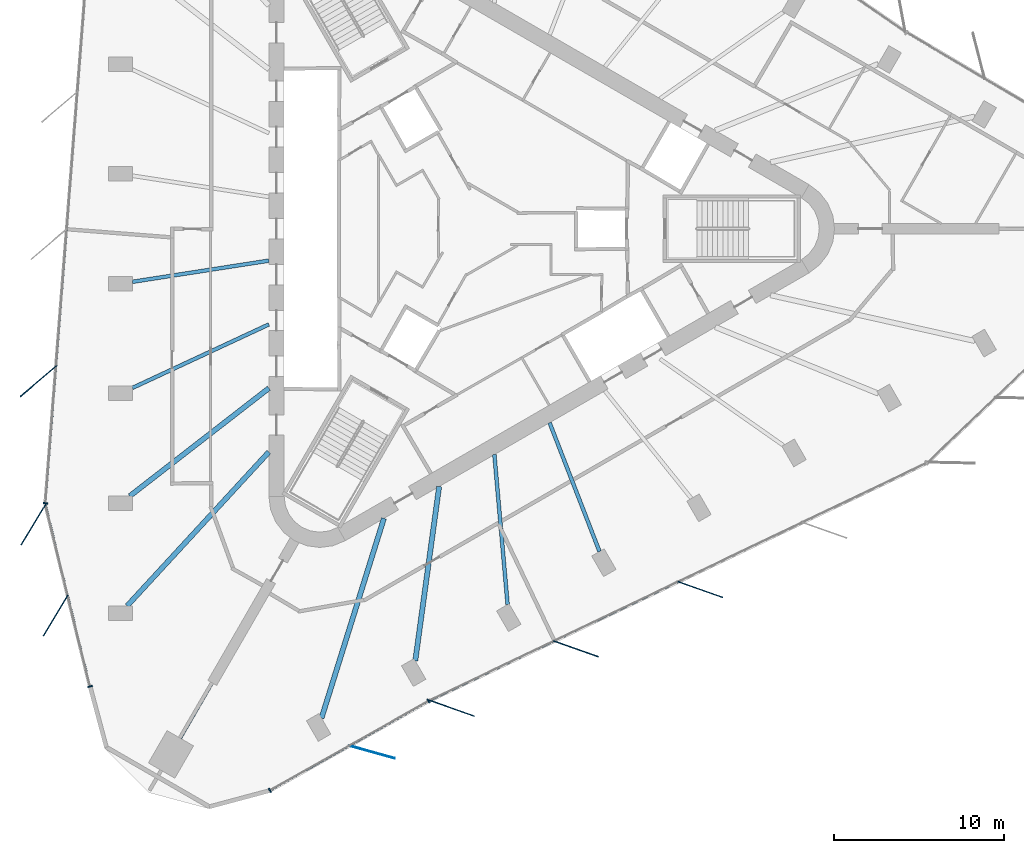
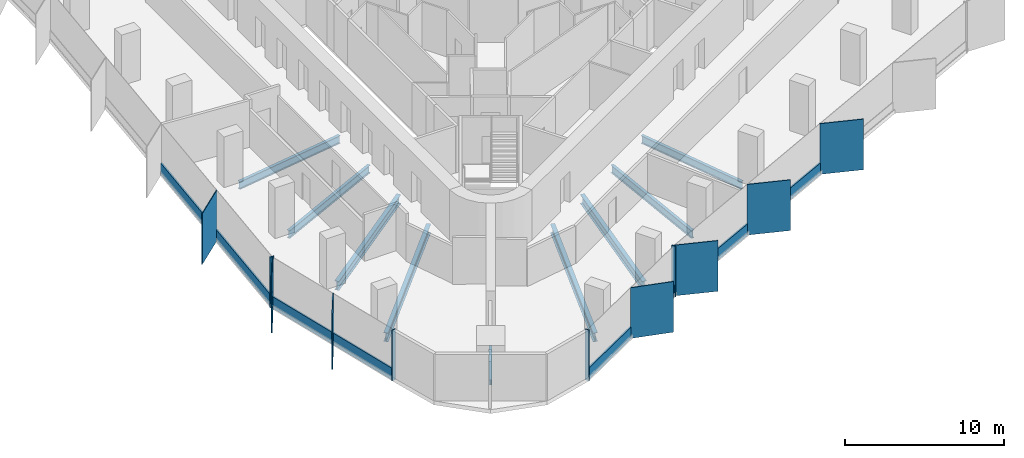
# One storey, part 2 of 14: 19 members, 9 beams, 4 elements without a shape of their own.
"""IFC4 building model written with IfcOpenShell, lengths in metres."""

import ifcopenshell
import ifcopenshell.guid

model = None  # the IFC model being written
_history = None  # IfcOwnerHistory: only IFC2X3 demands one
_inside = {}  # id of a spatial element -> (the spatial element, [elements in it])
_under = {}  # id of a project, library or spatial element -> (it, [spatial elements below it])
_declared = {}  # id of a project -> (the project, [libraries it declares])
_typed = {}  # id of a type object -> (the type object, [elements of that type])
_made_of = {}  # id of a material, layer set ... -> (it, [elements and type objects made of it])


def new_model(schema):
    """Start an empty IFC model of exactly this schema.

    Asked for "IFC4X3", IfcOpenShell would pick the latest addendum, in which some entities
    have other attributes; the version numbers below select the first issue.
    IFC2X3 requires an IfcOwnerHistory on every rooted entity: one is made here for all.
    """
    global model, _history
    if schema == "IFC4X3":
        model = ifcopenshell.file(schema_version=(4, 3, 0, 0))
    else:
        model = ifcopenshell.file(schema=schema)
    _inside.clear()
    _under.clear()
    _declared.clear()
    _typed.clear()
    _made_of.clear()
    _history = None
    if model.schema == "IFC2X3":
        org = make("IfcOrganization", Name="unknown")
        user = make(
            "IfcPersonAndOrganization",
            ThePerson=make("IfcPerson", FamilyName="unknown"),
            TheOrganization=org,
        )
        app = make(
            "IfcApplication",
            ApplicationDeveloper=org,
            Version="unknown",
            ApplicationFullName="unknown",
            ApplicationIdentifier="unknown",
        )
        _history = make(
            "IfcOwnerHistory",
            OwningUser=user,
            OwningApplication=app,
            ChangeAction="ADDED",
            CreationDate=0,
        )
    return model


def make(cls, **values):
    """One entity of the class cls with the attributes given. An attribute that is None is left unset."""
    return model.create_entity(
        cls, **{name: value for name, value in values.items() if value is not None}
    )


def rooted(cls, **values):
    """An entity with a GlobalId (a new one), such as an element, a storey or a relation."""
    return make(cls, GlobalId=ifcopenshell.guid.new(), OwnerHistory=_history, **values)


def si_unit(unit_type, name, prefix=None):
    """IfcSIUnit, for example si_unit("LENGTHUNIT", "METRE", prefix="MILLI")."""
    return make("IfcSIUnit", UnitType=unit_type, Prefix=prefix, Name=name)


def assignment(units):
    """IfcUnitAssignment: the units of a project."""
    return None if units is None else make("IfcUnitAssignment", Units=units)


def point(xyz):
    """IfcCartesianPoint."""
    return None if xyz is None else make("IfcCartesianPoint", Coordinates=xyz)


def direction(xyz):
    """IfcDirection."""
    return None if xyz is None else make("IfcDirection", DirectionRatios=xyz)


def frame(location, z_axis=None, x_axis=None):
    """IfcAxis2Placement3D, a coordinate frame: its origin and axes. An axis left out is left unset."""
    return make(
        "IfcAxis2Placement3D",
        Location=point(location),
        Axis=direction(z_axis),
        RefDirection=direction(x_axis),
    )


def frame_2d(location, x_axis=None):
    """IfcAxis2Placement2D, a coordinate frame in the plane: its origin and x axis."""
    return make(
        "IfcAxis2Placement2D", Location=point(location), RefDirection=direction(x_axis)
    )


def origin():
    """The frame at (0, 0, 0) with its axes left unset."""
    return frame((0.0, 0.0, 0.0))


def origin_2d():
    """The frame at (0, 0) in the plane with its x axis left unset."""
    return frame_2d((0.0, 0.0))


def place(relative_to, where):
    """IfcLocalPlacement: puts the frame where relative to a parent placement (None: the world)."""
    return make(
        "IfcLocalPlacement", PlacementRelTo=relative_to, RelativePlacement=where
    )


def context(
    kind, dimensions, precision=None, world=None, true_north=None, identifier=None
):
    """IfcGeometricRepresentationContext, for example the 3D "Model" context."""
    return make(
        "IfcGeometricRepresentationContext",
        ContextIdentifier=identifier,
        ContextType=kind,
        CoordinateSpaceDimension=dimensions,
        Precision=precision,
        WorldCoordinateSystem=world,
        TrueNorth=true_north,
    )


def subcontext(parent, identifier, kind, view, scale=None):
    """IfcGeometricRepresentationSubContext, for example "Body" below "Model"."""
    return make(
        "IfcGeometricRepresentationSubContext",
        ContextIdentifier=identifier,
        ContextType=kind,
        ParentContext=parent,
        TargetScale=scale,
        TargetView=view,
    )


def project(units=None, contexts=None):
    """IfcProject with its units and contexts."""
    return rooted(
        "IfcProject",
        Name="project",
        RepresentationContexts=contexts,
        UnitsInContext=assignment(units),
    )


def spatial(cls, under=None, at=None, **own):
    """A site, building, storey or space (cls), placed at a placement, below another one or the project."""
    s = rooted(cls, ObjectPlacement=at, **own)
    if under is not None:
        _under.setdefault(under.id(), (under, []))[1].append(s)
    return s


def profile(cls, at=None, kind="AREA", **sizes):
    """A parametric profile (cls). Its sizes go by their IFC names, for example OverallWidth=200.0."""
    return make(cls, ProfileType=kind, Position=at, **sizes)


def rectangle(**sizes):
    """IfcRectangleProfileDef."""
    return profile("IfcRectangleProfileDef", **sizes)


def i_section(**sizes):
    """IfcIShapeProfileDef."""
    return profile("IfcIShapeProfileDef", **sizes)


def extrude(swept, where, along, depth):
    """IfcExtrudedAreaSolid: the profile swept, set in the frame where, extruded along a direction by depth."""
    return make(
        "IfcExtrudedAreaSolid",
        SweptArea=swept,
        Position=where,
        ExtrudedDirection=direction(along),
        Depth=depth,
    )


def shape(context_of_items, identifier, shape_type, items):
    """IfcShapeRepresentation: the items that make up one representation, for example the "Body"."""
    return make(
        "IfcShapeRepresentation",
        ContextOfItems=context_of_items,
        RepresentationIdentifier=identifier,
        RepresentationType=shape_type,
        Items=items,
    )


def material(Name=None, Category=None):
    """IfcMaterial."""
    return make("IfcMaterial", Name=Name, Category=Category)


def material_profile(
    of_material, cross_section, Name=None, Category=None, Priority=None
):
    """IfcMaterialProfile: a cross section and its material."""
    return make(
        "IfcMaterialProfile",
        Name=Name,
        Material=of_material,
        Profile=cross_section,
        Priority=Priority,
        Category=Category,
    )


def profile_set(profiles, Name=None, composite=None):
    """IfcMaterialProfileSet."""
    return make(
        "IfcMaterialProfileSet",
        Name=Name,
        MaterialProfiles=profiles,
        CompositeProfile=composite,
    )


def made_of(thing, what):
    """Note that an element or type object is made of a material, layer set ...; save() writes the relation."""
    if what is not None:
        _made_of.setdefault(what.id(), (what, []))[1].append(thing)
    return thing


def type_object(cls, material=None, **own):
    """A type object (cls), such as IfcWallType, which elements share."""
    return made_of(rooted(cls, **own), material)


def element(
    cls,
    number,
    at=None,
    inside=None,
    cuts=None,
    type_object=None,
    material=None,
    context=None,
    identifier="Body",
    shape_type=None,
    held_by="IfcProductDefinitionShape",
    body=None,
    shapes=None,
    **own,
):
    """One element of the class cls, such as IfcWall. Its Tag is "e" and its number.

    at: its placement. inside: the storey or other place that contains it. cuts: it is an
    opening in that element (IfcRelVoidsElement). A single representation is given by context,
    identifier, shape_type and body (its items); several are given by shapes. held_by: the class
    of the entity that holds the representations. save() writes the other relations.
    """
    e = rooted(cls, Tag="e%d" % number, ObjectPlacement=at, **own)
    if body is not None:
        shapes = [shape(context, identifier, shape_type, body)]
    if shapes is not None:
        e.Representation = make(held_by, Representations=shapes)
    if inside is not None:
        _inside.setdefault(inside.id(), (inside, []))[1].append(e)
    if cuts is not None:
        rooted(
            "IfcRelVoidsElement", RelatingBuildingElement=cuts, RelatedOpeningElement=e
        )
    if type_object is not None:
        _typed.setdefault(type_object.id(), (type_object, []))[1].append(e)
    return made_of(e, material)


def aggregate(whole, parts):
    """IfcRelAggregates: a whole, such as a stair, and the parts it consists of."""
    return rooted("IfcRelAggregates", RelatingObject=whole, RelatedObjects=parts)


def save(model, path):
    """Write the relations noted so far, then the file.

    IfcRelAggregates (storeys below a building ...), IfcRelContainedInSpatialStructure (elements
    in a storey), IfcRelDefinesByType, IfcRelAssociatesMaterial and IfcRelDeclares: one each for
    every whole, place, type object, material and project.
    """
    for whole, parts in _under.values():
        aggregate(whole, parts)
    for where, things in _inside.values():
        rooted(
            "IfcRelContainedInSpatialStructure",
            RelatedElements=things,
            RelatingStructure=where,
        )
    for kind, things in _typed.values():
        rooted("IfcRelDefinesByType", RelatedObjects=things, RelatingType=kind)
    for what, things in _made_of.values():
        rooted("IfcRelAssociatesMaterial", RelatedObjects=things, RelatingMaterial=what)
    for by, libraries in _declared.values():
        rooted("IfcRelDeclares", RelatingContext=by, RelatedDefinitions=libraries)
    model.write(path)


model = new_model("IFC4")

# Units and contexts
model_context = context("Model", 3, precision=1e-05, world=origin(), true_north=direction((0.0, 1.0)))
body_context = subcontext(model_context, "Body", "Model", "MODEL_VIEW")
ifc_project = project(units=[si_unit("LENGTHUNIT", "METRE"), si_unit("AREAUNIT", "SQUARE_METRE"), si_unit("VOLUMEUNIT", "CUBIC_METRE"), si_unit("PLANEANGLEUNIT", "RADIAN"), si_unit("MASSUNIT", "GRAM", prefix="KILO")], contexts=[model_context])

# Site, building, storey
site_placement = place(None, origin())
site = spatial("IfcSite", under=ifc_project, at=site_placement, CompositionType="ELEMENT")
building_placement = place(site_placement, origin())
building = spatial("IfcBuilding", under=site, at=building_placement, Name="Tanit Gate Tower", CompositionType="ELEMENT")
storey_placement = place(building_placement, frame((0.0, 0.0, 302.60009765625)))
storey = spatial("IfcBuildingStorey", under=building, at=storey_placement, Name="L67", CompositionType="ELEMENT", Elevation=302.60009765625)

# Curtain wall, member
ifc_material_1 = material(Name="Aluminium bronze anodised and glass", Category="aluminium")
curtain_wall_type = type_object("IfcCurtainWallType", Name="Curtain wall typical high", PredefinedType="NOTDEFINED", material=ifc_material_1)
curtain_wall_1_placement = place(storey_placement, origin())
curtain_wall_1 = element("IfcCurtainWall", 1, at=curtain_wall_1_placement, inside=storey, type_object=curtain_wall_type, Name="Curtain wall L67 W2", PredefinedType="NOTDEFINED")
ifc_material_2 = material(Name="Aluminium bronze anodised", Category="aluminium")
ifc_material_profile_1 = material_profile(ifc_material_2, rectangle(XDim=2.800048828125, YDim=0.055908203125, at=origin_2d()), Name="56x2800 bronze fin mullion")
ifc_profile_set_1 = profile_set([ifc_material_profile_1], Name="Aluminium bronze anodised")
member_type_1 = type_object("IfcMemberType", Name="FIN MULLION 56x2800 bronze", PredefinedType="MULLION", material=ifc_profile_set_1)
member_1_placement = place(storey_placement, frame((-25.669677734375, -8.974609375, -0.300048828125), z_axis=(0.0, 0.0, 1.0), x_axis=(0.760001580735, 0.649921223903, 0.0)))
member_1 = element("IfcMember", 2, at=member_1_placement, type_object=member_type_1, Name="Fin mullion L67 W2.4", PredefinedType="MULLION", context=body_context, shape_type="SweptSolid", body=[
    extrude(rectangle(XDim=2.800048828125, YDim=0.055908203125, at=origin_2d()), origin(), (0.0, 0.0, 1.0), 3.89990234375),
])

# Curtain wall, members
curtain_wall_2_placement = place(storey_placement, origin())
curtain_wall_2 = element("IfcCurtainWall", 3, at=curtain_wall_2_placement, inside=storey, type_object=curtain_wall_type, Name="Curtain wall L67 W3", PredefinedType="NOTDEFINED")
member_2_placement = place(storey_placement, frame((-25.961669921875, -17.415771484375, -0.300048828125), z_axis=(0.0, 0.0, 1.0), x_axis=(0.519036205299, 0.854752255094, 0.0)))
member_2 = element("IfcMember", 4, at=member_2_placement, type_object=member_type_1, Name="Fin mullion L67 W3.1", PredefinedType="MULLION", context=body_context, shape_type="SweptSolid", body=[
    extrude(rectangle(XDim=2.800048828125, YDim=0.055908203125, at=origin_2d()), origin(), (0.0, 0.0, 1.0), 3.89990234375),
])
member_3_placement = place(storey_placement, frame((-24.6533203125, -22.769287109375, -0.300048828125), z_axis=(0.0, 0.0, 1.0), x_axis=(0.519036205299, 0.854752255094, 0.0)))
member_3 = element("IfcMember", 5, at=member_3_placement, type_object=member_type_1, Name="Fin mullion L67 W3.2", PredefinedType="MULLION", context=body_context, shape_type="SweptSolid", body=[
    extrude(rectangle(XDim=2.800048828125, YDim=0.055908203125, at=origin_2d()), origin(), (0.0, 0.0, 1.0), 3.89990234375),
])

# Curtain wall, member
curtain_wall_3_placement = place(storey_placement, origin())
curtain_wall_3 = element("IfcCurtainWall", 6, at=curtain_wall_3_placement, inside=storey, type_object=curtain_wall_type, Name="Curtain wall L67 SE1", PredefinedType="NOTDEFINED")
member_4_placement = place(storey_placement, frame((-6.040283203125, -30.80322265625, -0.300048828125), z_axis=(0.0, 0.0, 1.0), x_axis=(-0.963250243601, 0.268605599724, 0.0)))
member_4 = element("IfcMember", 7, at=member_4_placement, type_object=member_type_1, Name="Fin mullion L67 SE1.2", PredefinedType="MULLION", context=body_context, shape_type="SweptSolid", body=[
    extrude(rectangle(XDim=2.800048828125, YDim=0.055908203125, at=origin_2d()), origin(), (0.0, 0.0, 1.0), 3.89990234375),
])

# Curtain wall, members
curtain_wall_4_placement = place(storey_placement, origin())
curtain_wall_4 = element("IfcCurtainWall", 8, at=curtain_wall_4_placement, inside=storey, type_object=curtain_wall_type, Name="Curtain wall L67 SE2", PredefinedType="NOTDEFINED")
member_5_placement = place(storey_placement, frame((-1.3310546875, -28.22412109375, -0.300048828125), z_axis=(0.0, 0.0, 1.0), x_axis=(-0.942849080727, 0.333220063881, 0.0)))
member_5 = element("IfcMember", 9, at=member_5_placement, type_object=member_type_1, Name="Fin mullion L67 SE2.1", PredefinedType="MULLION", context=body_context, shape_type="SweptSolid", body=[
    extrude(rectangle(XDim=2.800048828125, YDim=0.055908203125, at=origin_2d()), origin(), (0.0, 0.0, 1.0), 3.89990234375),
])
member_6_placement = place(storey_placement, frame((5.981689453125, -24.73046875, -0.300048828125), z_axis=(0.0, 0.0, 1.0), x_axis=(-0.942849080727, 0.333220063881, 0.0)))
member_6 = element("IfcMember", 10, at=member_6_placement, type_object=member_type_1, Name="Fin mullion L67 SE2.2", PredefinedType="MULLION", context=body_context, shape_type="SweptSolid", body=[
    extrude(rectangle(XDim=2.800048828125, YDim=0.055908203125, at=origin_2d()), origin(), (0.0, 0.0, 1.0), 3.89990234375),
])
member_7_placement = place(storey_placement, frame((13.29443359375, -21.237060546875, -0.300048828125), z_axis=(0.0, 0.0, 1.0), x_axis=(-0.942849080727, 0.333220063881, 0.0)))
member_7 = element("IfcMember", 11, at=member_7_placement, type_object=member_type_1, Name="Fin mullion L67 SE2.3", PredefinedType="MULLION", context=body_context, shape_type="SweptSolid", body=[
    extrude(rectangle(XDim=2.800048828125, YDim=0.055908203125, at=origin_2d()), origin(), (0.0, 0.0, 1.0), 3.89990234375),
])

# Member
ifc_material_3 = material(Name="Aluminium bronze anodised", Category="aluminium")
ifc_material_profile_2 = material_profile(ifc_material_3, rectangle(XDim=0.280029296875, YDim=0.080078125, at=origin_2d()), Name="80x280 bronze mullion")
ifc_profile_set_2 = profile_set([ifc_material_profile_2], Name="Aluminium bronze anodised")
member_type_2 = type_object("IfcMemberType", Name="Mullion 80x280 typical high", PredefinedType="MULLION", material=ifc_profile_set_2)
member_8_placement = place(storey_placement, frame((-25.251708984375, -16.157470703125, -0.300048828125), z_axis=(0.0, 0.0, 1.0), x_axis=(0.996965976109, -0.077838566791, 0.0)))
member_8 = element("IfcMember", 12, at=member_8_placement, type_object=member_type_2, Name="Mullion L67 W2.5", PredefinedType="MULLION", context=body_context, shape_type="SweptSolid", body=[
    extrude(rectangle(XDim=0.280029296875, YDim=0.080078125, at=origin_2d()), origin(), (0.0, 0.0, 1.0), 3.89990234375),
])

member_9_placement = place(storey_placement, frame((-22.628662109375, -26.943115234375, -0.300048828125), z_axis=(0.0, 0.0, 1.0), x_axis=(0.97141513626, 0.237387095363, 0.0)))
member_9 = element("IfcMember", 13, at=member_9_placement, type_object=member_type_2, Name="Mullion L67 W3.3", PredefinedType="MULLION", context=body_context, shape_type="SweptSolid", body=[
    extrude(rectangle(XDim=0.280029296875, YDim=0.080078125, at=origin_2d()), origin(), (0.0, 0.0, 1.0), 3.89990234375),
])

member_10_placement = place(storey_placement, frame((-12.0361328125, -33.063720703125, -0.300048828125), z_axis=(0.0, 0.0, 1.0), x_axis=(-0.4911879382, 0.871053620259, 0.0)))
member_10 = element("IfcMember", 14, at=member_10_placement, type_object=member_type_2, Name="Mullion L67 SE1.1", PredefinedType="MULLION", context=body_context, shape_type="SweptSolid", body=[
    extrude(rectangle(XDim=0.280029296875, YDim=0.080078125, at=origin_2d()), origin(), (0.0, 0.0, 1.0), 3.89990234375),
])

member_11_placement = place(storey_placement, frame((-2.703369140625, -27.801025390625, -0.300048828125), z_axis=(0.0, 0.0, 1.0), x_axis=(-0.4911879382, 0.871053620259, 0.0)))
member_11 = element("IfcMember", 15, at=member_11_placement, type_object=member_type_2, Name="Mullion L67 SE1.3", PredefinedType="MULLION", context=body_context, shape_type="SweptSolid", body=[
    extrude(rectangle(XDim=0.280029296875, YDim=0.080078125, at=origin_2d()), origin(), (0.0, 0.0, 1.0), 3.89990234375),
])

# Beams
ifc_material_4 = material(Name="Steel S355", Category="steel")
ifc_material_profile_3 = material_profile(ifc_material_4, i_section(OverallWidth=0.300048828125, OverallDepth=0.68994140625, WebThickness=0.014404296875, FlangeThickness=0.027099609375, FilletRadius=0.027099609375, at=origin_2d()), Name="HEA 700")
ifc_profile_set_3 = profile_set([ifc_material_profile_3], Name="Steel S355")
beam_type_1 = type_object("IfcBeamType", Name="RADIAL GIRDER HEA 700 S355", PredefinedType="BEAM", material=ifc_profile_set_3)
beam_1_placement = place(storey_placement, frame((-20.28759765625, -15.734619140625, -0.64501953125), z_axis=(0.790189054489, 0.612863164308, 0.0), x_axis=(-0.612863164308, 0.790189054489, 0.0)))
element("IfcBeam", 16, at=beam_1_placement, inside=storey, type_object=beam_type_1, Name="RADIAL GIRDER", PredefinedType="BEAM", context=body_context, shape_type="SweptSolid", body=[
    extrude(i_section(OverallWidth=0.300048828125, OverallDepth=0.68994140625, WebThickness=0.014404296875, FlangeThickness=0.027099609375, FilletRadius=0.027099609375, at=origin_2d()), origin(), (0.0, 0.0, 1.0), 10.35888671875),
])
beam_2_placement = place(storey_placement, frame((-20.444091796875, -22.198486328125, -0.64501953125), z_axis=(0.677443856772, 0.735574483599, 0.0), x_axis=(-0.735574483599, 0.677443856772, 0.0)))
element("IfcBeam", 17, at=beam_2_placement, inside=storey, type_object=beam_type_1, Name="RADIAL GIRDER", PredefinedType="BEAM", context=body_context, shape_type="SweptSolid", body=[
    extrude(i_section(OverallWidth=0.300048828125, OverallDepth=0.68994140625, WebThickness=0.014404296875, FlangeThickness=0.027099609375, FilletRadius=0.027099609375, at=origin_2d()), origin(), (0.0, 0.0, 1.0), 12.31396484375),
])
beam_3_placement = place(storey_placement, frame((-9.00244140625, -28.804443359375, -0.64501953125), z_axis=(0.298298699316, 0.954472569531, 0.0), x_axis=(-0.954472569531, 0.298298699316, 0.0)))
element("IfcBeam", 18, at=beam_3_placement, inside=storey, type_object=beam_type_1, Name="RADIAL GIRDER", PredefinedType="BEAM", context=body_context, shape_type="SweptSolid", body=[
    extrude(i_section(OverallWidth=0.300048828125, OverallDepth=0.68994140625, WebThickness=0.014404296875, FlangeThickness=0.027099609375, FilletRadius=0.027099609375, at=origin_2d()), origin(), (0.0, 0.0, 1.0), 12.314208984375),
])
beam_4_placement = place(storey_placement, frame((-3.48291015625, -25.436767578125, -0.64501953125), z_axis=(0.135657975489, 0.990755728566, 0.0), x_axis=(-0.990755728566, 0.135657975489, 0.0)))
element("IfcBeam", 19, at=beam_4_placement, inside=storey, type_object=beam_type_1, Name="RADIAL GIRDER", PredefinedType="BEAM", context=body_context, shape_type="SweptSolid", body=[
    extrude(i_section(OverallWidth=0.300048828125, OverallDepth=0.68994140625, WebThickness=0.014404296875, FlangeThickness=0.027099609375, FilletRadius=0.027099609375, at=origin_2d()), origin(), (0.0, 0.0, 1.0), 10.35888671875),
])
ifc_material_5 = material(Name="Steel S355", Category="steel")
ifc_material_profile_4 = material_profile(ifc_material_5, i_section(OverallWidth=0.179931640625, OverallDepth=0.39990234375, WebThickness=0.008544921875, FlangeThickness=0.013427734375, FilletRadius=0.02099609375, at=origin_2d()), Name="IPE 400")
ifc_profile_set_4 = profile_set([ifc_material_profile_4], Name="Steel S355")
beam_type_2 = type_object("IfcBeamType", Name="RADIAL GIRDER IPE 400 S355", PredefinedType="BEAM", material=ifc_profile_set_4)
beam_5_placement = place(storey_placement, frame((-17.3154296875, -29.9912109375, -0.5), z_axis=(0.500007177232, 0.866021259968, 0.0), x_axis=(-0.866021259968, 0.500007177232, 0.0)))
element("IfcBeam", 20, at=beam_5_placement, inside=storey, type_object=beam_type_2, Name="RADIAL GIRDER", PredefinedType="BEAM", context=body_context, shape_type="SweptSolid", body=[
    extrude(i_section(OverallWidth=0.179931640625, OverallDepth=0.39990234375, WebThickness=0.008544921875, FlangeThickness=0.013427734375, FilletRadius=0.02099609375, at=origin_2d()), origin(), (0.0, 0.0, 1.0), 3.7607421875),
])
ifc_material_6 = material(Name="Steel S355", Category="steel")
ifc_material_profile_5 = material_profile(ifc_material_6, i_section(OverallWidth=0.219970703125, OverallDepth=0.60009765625, WebThickness=0.011962890625, FlangeThickness=0.01904296875, FilletRadius=0.02392578125, at=origin_2d()), Name="IPE 600")
ifc_profile_set_5 = profile_set([ifc_material_profile_5], Name="Steel S355")
beam_type_3 = type_object("IfcBeamType", Name="RADIAL GIRDER IPE 600 S355", PredefinedType="BEAM", material=ifc_profile_set_5)
beam_6_placement = place(storey_placement, frame((-20.135498046875, -3.123291015625, -0.60009765625), z_axis=(0.988182767287, 0.153280195844, 0.0), x_axis=(-0.153280195844, 0.988182767287, 0.0)))
element("IfcBeam", 21, at=beam_6_placement, inside=storey, type_object=beam_type_3, Name="RADIAL GIRDER", PredefinedType="BEAM", context=body_context, shape_type="SweptSolid", body=[
    extrude(i_section(OverallWidth=0.219970703125, OverallDepth=0.60009765625, WebThickness=0.011962890625, FlangeThickness=0.01904296875, FilletRadius=0.02392578125, at=origin_2d()), origin(), (0.0, 0.0, 1.0), 8.12939453125),
])
for number, where, z_axis, x_axis, name in (
    (22, (-20.135498046875, -9.3701171875, -0.60009765625), (0.906633128224, 0.421919863015, 0.0), (-0.421919863015, 0.906633128224, 0.0), "RADIAL GIRDER"),
    (23, (1.952880859375, -22.122802734375, -0.60009765625), (-0.087921954634, 0.996127366301, 0.0), (-0.996127366301, -0.087921954634, 0.0), "RADIAL GIRDER"),
):
    element("IfcBeam", number, at=place(storey_placement, frame(where, z_axis=z_axis, x_axis=x_axis)), inside=storey, type_object=beam_type_3, Name=name, PredefinedType="BEAM", context=body_context, shape_type="SweptSolid", body=[
        extrude(i_section(OverallWidth=0.219970703125, OverallDepth=0.60009765625, WebThickness=0.011962890625, FlangeThickness=0.01904296875, FilletRadius=0.02392578125, at=origin_2d()), origin(), (0.0, 0.0, 1.0), 8.86083984375),
    ])
beam_7_placement = place(storey_placement, frame((7.36279296875, -18.99951171875, -0.60009765625), z_axis=(-0.361334449338, 0.932436279711, 0.0), x_axis=(-0.932436279711, -0.361334449338, 0.0)))
element("IfcBeam", 24, at=beam_7_placement, inside=storey, type_object=beam_type_3, Name="RADIAL GIRDER", PredefinedType="BEAM", context=body_context, shape_type="SweptSolid", body=[
    extrude(i_section(OverallWidth=0.219970703125, OverallDepth=0.60009765625, WebThickness=0.011962890625, FlangeThickness=0.01904296875, FilletRadius=0.02392578125, at=origin_2d()), origin(), (0.0, 0.0, 1.0), 8.129638671875),
])

# Member
ifc_material_7 = material(Name="Aluminium bronze anodised", Category="aluminium")
ifc_material_profile_6 = material_profile(ifc_material_7, rectangle(XDim=0.1201171875, YDim=0.89990234375, at=origin_2d()), Name="120x900 bronze transom")
ifc_profile_set_6 = profile_set([ifc_material_profile_6], Name="Aluminium bronze anodised")
member_type_3 = type_object("IfcMemberType", Name="Transom 120x900 typical high", PredefinedType="USERDEFINED", material=ifc_profile_set_6)
member_12_placement = place(storey_placement, frame((-23.9931640625, -0.03759765625, 0.14990234375), z_axis=(-0.077827186267, -0.996966864584, 0.0), x_axis=(0.996966864584, -0.077827186267, 0.0)))
member_12 = element("IfcMember", 25, at=member_12_placement, type_object=member_type_3, Name="Transom L67 W2.3", ObjectType="TRANSOM", PredefinedType="USERDEFINED", context=body_context, shape_type="SweptSolid", body=[
    extrude(rectangle(XDim=0.1201171875, YDim=0.89990234375, at=origin_2d()), origin(), (0.0, 0.0, 1.0), 8.0244140625),
])

member_13_placement = place(storey_placement, frame((-24.623779296875, -8.117431640625, 0.14990234375), z_axis=(-0.077857426888, -0.996964503419, 0.0), x_axis=(0.996964503419, -0.077857426888, 0.0)))
member_13 = element("IfcMember", 26, at=member_13_placement, type_object=member_type_3, Name="Transom L67 W2.4", ObjectType="TRANSOM", PredefinedType="USERDEFINED", context=body_context, shape_type="SweptSolid", body=[
    extrude(rectangle(XDim=0.1201171875, YDim=0.89990234375, at=origin_2d()), origin(), (0.0, 0.0, 1.0), 8.0244140625),
])

aggregate(curtain_wall_1, [member_1, member_8, member_12, member_13])

member_14_placement = place(storey_placement, frame((-25.23583984375, -16.27490234375, 0.14990234375), z_axis=(0.237391820307, -0.971413981602, 0.0), x_axis=(0.971413981602, 0.237391820307, 0.0)))
member_14 = element("IfcMember", 27, at=member_14_placement, type_object=member_type_3, Name="Transom L67 W3.1", ObjectType="TRANSOM", PredefinedType="USERDEFINED", context=body_context, shape_type="SweptSolid", body=[
    extrude(rectangle(XDim=0.1201171875, YDim=0.89990234375, at=origin_2d()), origin(), (0.0, 0.0, 1.0), 5.43115234375),
])

member_15_placement = place(storey_placement, frame((-23.927490234375, -21.62841796875, 0.14990234375), z_axis=(0.237391820307, -0.971413981602, 0.0), x_axis=(0.971413981602, 0.237391820307, 0.0)))
member_15 = element("IfcMember", 28, at=member_15_placement, type_object=member_type_3, Name="Transom L67 W3.2", ObjectType="TRANSOM", PredefinedType="USERDEFINED", context=body_context, shape_type="SweptSolid", body=[
    extrude(rectangle(XDim=0.1201171875, YDim=0.89990234375, at=origin_2d()), origin(), (0.0, 0.0, 1.0), 5.43115234375),
])

aggregate(curtain_wall_2, [member_2, member_3, member_9, member_14, member_15])

member_16_placement = place(storey_placement, frame((-12.001220703125, -33.044189453125, 0.14990234375), z_axis=(0.871056124782, 0.49118349675, 0.0), x_axis=(-0.49118349675, 0.871056124782, 0.0)))
member_16 = element("IfcMember", 29, at=member_16_placement, type_object=member_type_3, Name="Transom L67 SE1.1", ObjectType="TRANSOM", PredefinedType="USERDEFINED", context=body_context, shape_type="SweptSolid", body=[
    extrude(rectangle(XDim=0.1201171875, YDim=0.89990234375, at=origin_2d()), origin(), (0.0, 0.0, 1.0), 5.277099609375),
])

member_17_placement = place(storey_placement, frame((-7.3349609375, -30.412841796875, 0.14990234375), z_axis=(0.871056124782, 0.49118349675, 0.0), x_axis=(-0.49118349675, 0.871056124782, 0.0)))
member_17 = element("IfcMember", 30, at=member_17_placement, type_object=member_type_3, Name="Transom L67 SE1.2", ObjectType="TRANSOM", PredefinedType="USERDEFINED", context=body_context, shape_type="SweptSolid", body=[
    extrude(rectangle(XDim=0.1201171875, YDim=0.89990234375, at=origin_2d()), origin(), (0.0, 0.0, 1.0), 5.277099609375),
])

aggregate(curtain_wall_3, [member_10, member_4, member_11, member_16, member_17])

member_18_placement = place(storey_placement, frame((-2.596435546875, -27.7470703125, 0.14990234375), z_axis=(0.902309207174, 0.431089427671, 0.0), x_axis=(-0.431089427671, 0.902309207174, 0.0)))
member_18 = element("IfcMember", 31, at=member_18_placement, type_object=member_type_3, Name="Transom L67 SE2.1", ObjectType="TRANSOM", PredefinedType="USERDEFINED", context=body_context, shape_type="SweptSolid", body=[
    extrude(rectangle(XDim=0.1201171875, YDim=0.89990234375, at=origin_2d()), origin(), (0.0, 0.0, 1.0), 8.0244140625),
])

member_19_placement = place(storey_placement, frame((4.71630859375, -24.25341796875, 0.14990234375), z_axis=(0.902309207174, 0.431089427671, 0.0), x_axis=(-0.431089427671, 0.902309207174, 0.0)))
member_19 = element("IfcMember", 32, at=member_19_placement, type_object=member_type_3, Name="Transom L67 SE2.2", ObjectType="TRANSOM", PredefinedType="USERDEFINED", context=body_context, shape_type="SweptSolid", body=[
    extrude(rectangle(XDim=0.1201171875, YDim=0.89990234375, at=origin_2d()), origin(), (0.0, 0.0, 1.0), 8.0244140625),
])

aggregate(curtain_wall_4, [member_5, member_6, member_7, member_18, member_19])

save(model, "model.ifc")
